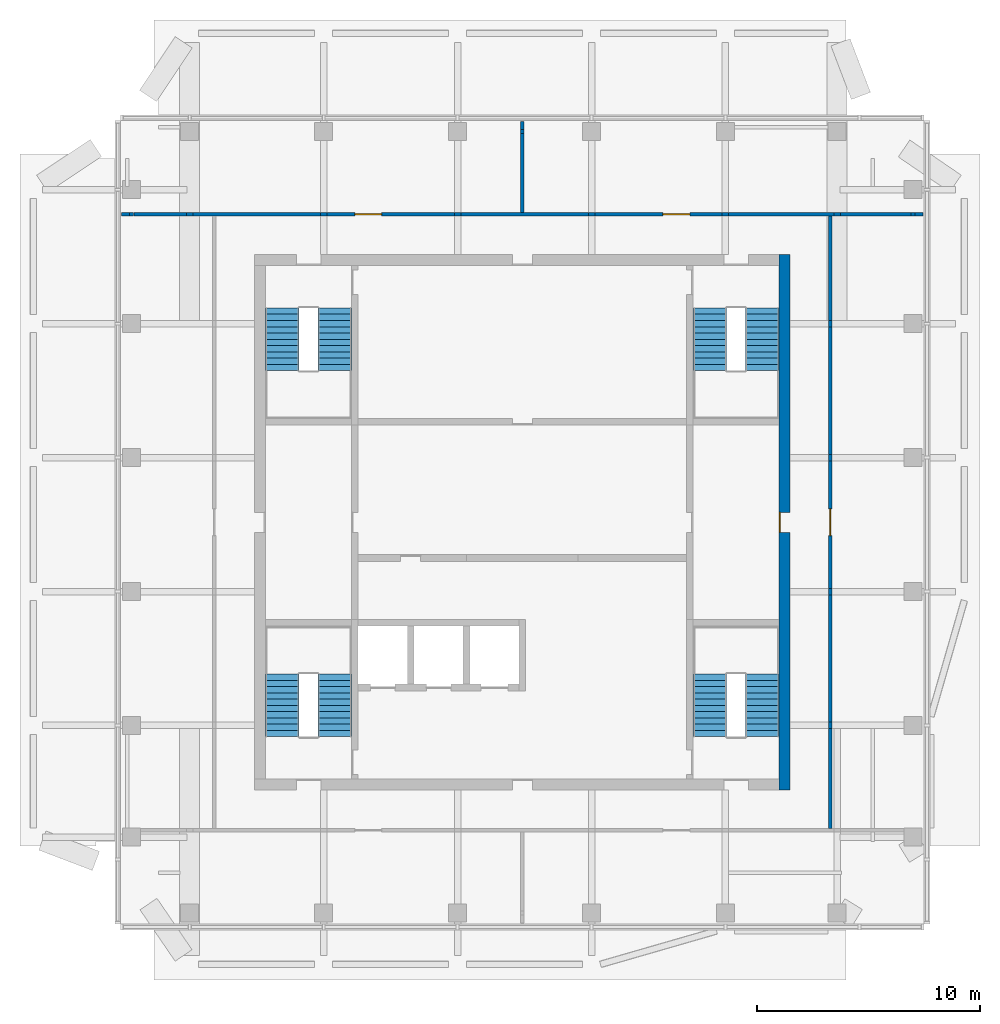
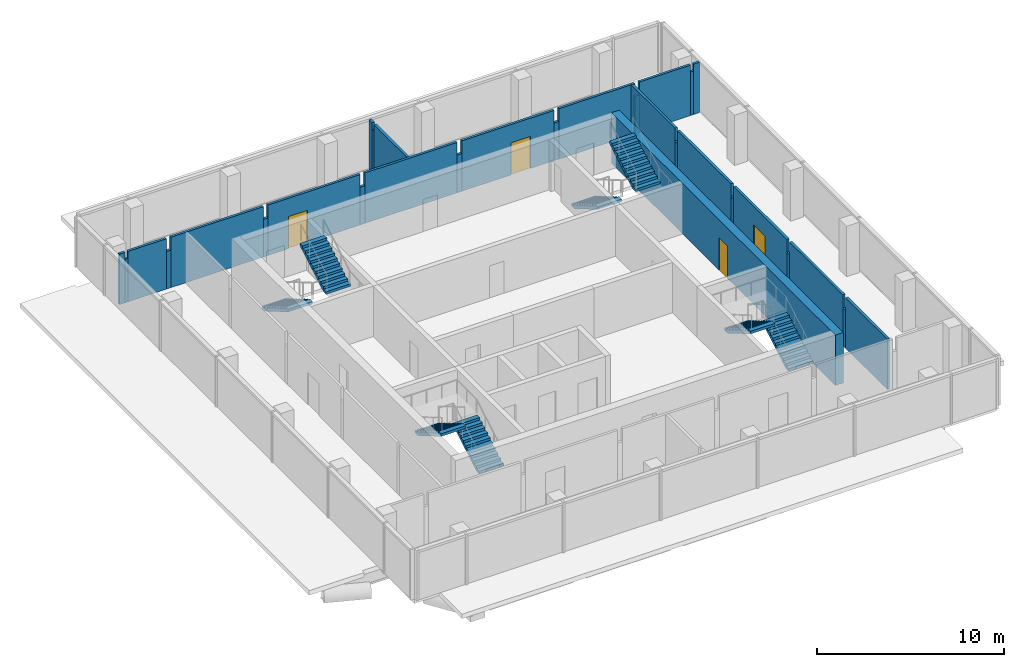
# One storey, part 5 of 6: 30 walls, 8 stair flights, 4 doors, 4 openings, 4 elements without a shape of their own.
"""IFC4 building model written with IfcOpenShell, lengths in metres."""

from ifc_helpers import new_model, si_unit, direction, frame, frame_2d, origin, place, context, subcontext, project, spatial, polyline, rectangle, outline, extrude, material, layer, layer_set, type_object, element, fill, aggregate, save


model = new_model("IFC4")

# Units and contexts
model_context = context("Model", 3, precision=1e-05, world=origin(), true_north=direction((0.0, 1.0)))
body_context = subcontext(model_context, "Body", "Model", "MODEL_VIEW")
ifc_project = project(units=[si_unit("LENGTHUNIT", "METRE"), si_unit("AREAUNIT", "SQUARE_METRE"), si_unit("VOLUMEUNIT", "CUBIC_METRE"), si_unit("PLANEANGLEUNIT", "RADIAN"), si_unit("MASSUNIT", "GRAM", prefix="KILO")], contexts=[model_context])

# Site, building, storey
site_placement = place(None, origin())
site = spatial("IfcSite", under=ifc_project, at=site_placement, CompositionType="ELEMENT")
building_placement = place(site_placement, origin())
building = spatial("IfcBuilding", under=site, at=building_placement, Name="Amberfall Residences", CompositionType="ELEMENT")
storey_placement = place(building_placement, frame((0.0, 0.0, 290.800048828125)))
storey = spatial("IfcBuildingStorey", under=building, at=storey_placement, Name="L78 Crown", CompositionType="ELEMENT", Elevation=290.800048828125)

# Wall, opening, door
ifc_material_1 = material(Name="Concrete C50", Category="concrete")
ifc_layer_1 = layer(ifc_material_1, 0.5)
ifc_layer_set_1 = layer_set([ifc_layer_1], Name="Core wall 500 C50")
wall_type_1 = type_object("IfcWallType", Name="Core wall 500 C50", PredefinedType="SHEAR", material=ifc_layer_set_1)
wall_1_placement = place(storey_placement, frame((86.25, 33.5, 0.0), z_axis=(0.0, 0.0, 1.0), x_axis=(0.0, 1.0, 0.0)))
wall_1 = element("IfcWall", 1, at=wall_1_placement, inside=storey, type_object=wall_type_1, Name="Core wall RW9 L78 Crown OE", PredefinedType="SHEAR", context=body_context, shape_type="SweptSolid", body=[
    extrude(rectangle(XDim=24.0, YDim=0.5, at=frame_2d((12.0, 0.0))), origin(), (0.0, 0.0, 1.0), 3.300048828125),
])
opening_1_placement = place(wall_1_placement, frame((11.550048828125, 0.0, 0.0)))
opening_1 = element("IfcOpeningElement", 2, at=opening_1_placement, cuts=wall_1, Name="Opening RD1", PredefinedType="OPENING", context=body_context, shape_type="SweptSolid", body=[
    extrude(rectangle(XDim=0.89990234375, YDim=2.10009765625, at=frame_2d((0.449951171875, 1.050048828125))), frame((0.0, 0.260009765625, 0.0), z_axis=(0.0, -1.0, 0.0), x_axis=(1.0, 0.0, 0.0)), (0.0, 0.0, 1.0), 0.52001953125),
])
ifc_material_2 = material(Name="Steel fire door set", Category="steel")
door_type_1 = type_object("IfcDoorType", Name="Service room door 900 x 2100", OperationType="SINGLE_SWING_LEFT", PredefinedType="DOOR", material=ifc_material_2)
door_1_placement = place(opening_1_placement, origin())
door_1 = element("IfcDoor", 3, at=door_1_placement, inside=storey, type_object=door_type_1, Name="RD1 L78 Crown", OperationType="SINGLE_SWING_RIGHT", OverallHeight=2.10009765625, OverallWidth=0.89990234375, PredefinedType="DOOR", context=body_context, shape_type="SweptSolid", body=[
    extrude(rectangle(XDim=0.89990234375, YDim=2.10009765625, at=frame_2d((0.449951171875, 1.050048828125))), frame((0.0, 0.2373046875, 0.0), z_axis=(0.0, -1.0, 0.0), x_axis=(1.0, 0.0, 0.0)), (0.0, 0.0, 1.0), 0.050048828125),
])
fill(opening_1, door_1)

# Walls
ifc_material_3 = material(Name="Fire-rated gypsum board on steel studs", Category="steel")
ifc_layer_2 = layer(ifc_material_3, 0.14990234375)
ifc_layer_set_2 = layer_set([ifc_layer_2], Name="Partition 150 fire-rated")
wall_type_2 = type_object("IfcWallType", Name="Partition 150 fire-rated", PredefinedType="PARTITIONING", material=ifc_layer_set_2)
wall_2_placement = place(storey_placement, frame((56.550048828125, 59.300048828125, 0.0), z_axis=(0.0, 0.0, 1.0), x_axis=(1.0, 0.0, 0.0)))
element("IfcWall", 4, at=wall_2_placement, inside=storey, type_object=wall_type_2, Name="Partition 150 fire-rated L78 Crown 014", PredefinedType="PARTITIONING", context=body_context, shape_type="SweptSolid", body=[
    extrude(rectangle(XDim=0.35498046875, YDim=0.14990234375, at=frame_2d((0.177490234375, 0.0))), origin(), (0.0, 0.0, 1.0), 3.300048828125),
])
wall_3_placement = place(storey_placement, frame((56.905029296875, 59.300048828125, 0.0), z_axis=(0.0, 0.0, 1.0), x_axis=(1.0, 0.0, 0.0)))
element("IfcWall", 5, at=wall_3_placement, inside=storey, type_object=wall_type_2, Name="Partition 150 fire-rated L78 Crown 015", PredefinedType="PARTITIONING", context=body_context, shape_type="SweptSolid", body=[
    extrude(rectangle(XDim=0.18994140625, YDim=0.14990234375, at=frame_2d((0.094970703125, 0.0))), origin(), (0.0, 0.0, 1.0), 2.846923828125),
])
wall_4_placement = place(storey_placement, frame((57.094970703125, 59.300048828125, 0.0), z_axis=(0.0, 0.0, 1.0), x_axis=(1.0, 0.0, 0.0)))
element("IfcWall", 6, at=wall_4_placement, inside=storey, type_object=wall_type_2, Name="Partition 150 fire-rated L78 Crown 016", PredefinedType="PARTITIONING", context=body_context, shape_type="SweptSolid", body=[
    extrude(rectangle(XDim=2.359130859375, YDim=0.14990234375, at=frame_2d((1.1796875, 0.0))), origin(), (0.0, 0.0, 1.0), 3.300048828125),
])
wall_5_placement = place(storey_placement, frame((59.4541015625, 59.300048828125, 0.0), z_axis=(0.0, 0.0, 1.0), x_axis=(1.0, 0.0, 0.0)))
element("IfcWall", 7, at=wall_5_placement, inside=storey, type_object=wall_type_2, Name="Partition 150 fire-rated L78 Crown 017", PredefinedType="PARTITIONING", context=body_context, shape_type="SweptSolid", body=[
    extrude(rectangle(XDim=0.291748046875, YDim=0.14990234375, at=frame_2d((0.14599609375, 0.0))), origin(), (0.0, 0.0, 1.0), 2.4619140625),
])
wall_6_placement = place(storey_placement, frame((59.745849609375, 59.300048828125, 0.0), z_axis=(0.0, 0.0, 1.0), x_axis=(1.0, 0.0, 0.0)))
element("IfcWall", 8, at=wall_6_placement, inside=storey, type_object=wall_type_2, Name="Partition 150 fire-rated L78 Crown 018", PredefinedType="PARTITIONING", context=body_context, shape_type="SweptSolid", body=[
    extrude(rectangle(XDim=5.708251953125, YDim=0.14990234375, at=frame_2d((2.85400390625, 0.0))), origin(), (0.0, 0.0, 1.0), 3.300048828125),
])
wall_7_placement = place(storey_placement, frame((65.4541015625, 59.300048828125, 0.0), z_axis=(0.0, 0.0, 1.0), x_axis=(1.0, 0.0, 0.0)))
element("IfcWall", 9, at=wall_7_placement, inside=storey, type_object=wall_type_2, Name="Partition 150 fire-rated L78 Crown 019", PredefinedType="PARTITIONING", context=body_context, shape_type="SweptSolid", body=[
    extrude(rectangle(XDim=0.291748046875, YDim=0.14990234375, at=frame_2d((0.14599609375, 0.0))), origin(), (0.0, 0.0, 1.0), 2.46484375),
])

# Wall, opening, door
wall_8_placement = place(storey_placement, frame((65.745849609375, 59.300048828125, 0.0), z_axis=(0.0, 0.0, 1.0), x_axis=(1.0, 0.0, 0.0)))
wall_8 = element("IfcWall", 10, at=wall_8_placement, inside=storey, type_object=wall_type_2, Name="Partition 150 fire-rated L78 Crown 020", PredefinedType="PARTITIONING", context=body_context, shape_type="SweptSolid", body=[
    extrude(rectangle(XDim=5.708251953125, YDim=0.14990234375, at=frame_2d((2.85400390625, 0.0))), origin(), (0.0, 0.0, 1.0), 3.300048828125),
])
opening_2_placement = place(wall_8_placement, frame((1.254150390625, 0.0, 0.0)))
opening_2 = element("IfcOpeningElement", 11, at=opening_2_placement, cuts=wall_8, Name="Opening D7", PredefinedType="OPENING", context=body_context, shape_type="SweptSolid", body=[
    extrude(rectangle(XDim=1.199951171875, YDim=2.10009765625, at=frame_2d((0.60009765625, 1.050048828125))), frame((0.0, 0.0849609375, 0.0), z_axis=(0.0, -1.0, 0.0), x_axis=(1.0, 0.0, 0.0)), (0.0, 0.0, 1.0), 0.169921875),
])
ifc_material_4 = material(Name="Steel fire door leaf", Category="steel")
door_type_2 = type_object("IfcDoorType", Name="Plant room door 1200x2100", OperationType="SINGLE_SWING_LEFT", PredefinedType="DOOR", material=ifc_material_4)
door_2_placement = place(opening_2_placement, origin())
door_2 = element("IfcDoor", 12, at=door_2_placement, inside=storey, type_object=door_type_2, Name="Door Water treatment plant room", OperationType="SINGLE_SWING_LEFT", OverallHeight=2.10009765625, OverallWidth=1.199951171875, PredefinedType="DOOR", context=body_context, shape_type="SweptSolid", body=[
    extrude(rectangle(XDim=1.199951171875, YDim=2.10009765625, at=frame_2d((0.60009765625, 1.050048828125))), frame((0.0, 0.02490234375, 0.0), z_axis=(0.0, -1.0, 0.0), x_axis=(1.0, 0.0, 0.0)), (0.0, 0.0, 1.0), 0.050048828125),
])
fill(opening_2, door_2)

# Walls
wall_9_placement = place(storey_placement, frame((71.4541015625, 59.300048828125, 0.0), z_axis=(0.0, 0.0, 1.0), x_axis=(1.0, 0.0, 0.0)))
element("IfcWall", 13, at=wall_9_placement, inside=storey, type_object=wall_type_2, Name="Partition 150 fire-rated L78 Crown 021", PredefinedType="PARTITIONING", context=body_context, shape_type="SweptSolid", body=[
    extrude(rectangle(XDim=0.291748046875, YDim=0.14990234375, at=frame_2d((0.14599609375, 0.0))), origin(), (0.0, 0.0, 1.0), 2.46484375),
])
wall_10_placement = place(storey_placement, frame((71.745849609375, 59.300048828125, 0.0), z_axis=(0.0, 0.0, 1.0), x_axis=(1.0, 0.0, 0.0)))
element("IfcWall", 14, at=wall_10_placement, inside=storey, type_object=wall_type_2, Name="Partition 150 fire-rated L78 Crown 022", PredefinedType="PARTITIONING", context=body_context, shape_type="SweptSolid", body=[
    extrude(rectangle(XDim=5.708251953125, YDim=0.14990234375, at=frame_2d((2.85400390625, 0.0))), origin(), (0.0, 0.0, 1.0), 3.300048828125),
])
wall_11_placement = place(storey_placement, frame((77.4541015625, 59.300048828125, 0.0), z_axis=(0.0, 0.0, 1.0), x_axis=(1.0, 0.0, 0.0)))
element("IfcWall", 15, at=wall_11_placement, inside=storey, type_object=wall_type_2, Name="Partition 150 fire-rated L78 Crown 023", PredefinedType="PARTITIONING", context=body_context, shape_type="SweptSolid", body=[
    extrude(rectangle(XDim=0.291748046875, YDim=0.14990234375, at=frame_2d((0.14599609375, 0.0))), origin(), (0.0, 0.0, 1.0), 2.46484375),
])

# Wall, opening, door
wall_12_placement = place(storey_placement, frame((77.745849609375, 59.300048828125, 0.0), z_axis=(0.0, 0.0, 1.0), x_axis=(1.0, 0.0, 0.0)))
wall_12 = element("IfcWall", 16, at=wall_12_placement, inside=storey, type_object=wall_type_2, Name="Partition 150 fire-rated L78 Crown 024", PredefinedType="PARTITIONING", context=body_context, shape_type="SweptSolid", body=[
    extrude(rectangle(XDim=5.708251953125, YDim=0.14990234375, at=frame_2d((2.85400390625, 0.0))), origin(), (0.0, 0.0, 1.0), 3.300048828125),
])
opening_3_placement = place(wall_12_placement, frame((3.05419921875, 0.0, 0.0)))
opening_3 = element("IfcOpeningElement", 17, at=opening_3_placement, cuts=wall_12, Name="Opening D7", PredefinedType="OPENING", context=body_context, shape_type="SweptSolid", body=[
    extrude(rectangle(XDim=1.199951171875, YDim=2.10009765625, at=frame_2d((0.60009765625, 1.050048828125))), frame((0.0, 0.0849609375, 0.0), z_axis=(0.0, -1.0, 0.0), x_axis=(1.0, 0.0, 0.0)), (0.0, 0.0, 1.0), 0.169921875),
])
door_3_placement = place(opening_3_placement, origin())
door_3 = element("IfcDoor", 18, at=door_3_placement, inside=storey, type_object=door_type_2, Name="Door Dosing plant room", OperationType="SINGLE_SWING_LEFT", OverallHeight=2.10009765625, OverallWidth=1.199951171875, PredefinedType="DOOR", context=body_context, shape_type="SweptSolid", body=[
    extrude(rectangle(XDim=1.199951171875, YDim=2.10009765625, at=frame_2d((0.60009765625, 1.050048828125))), frame((0.0, 0.02490234375, 0.0), z_axis=(0.0, -1.0, 0.0), x_axis=(1.0, 0.0, 0.0)), (0.0, 0.0, 1.0), 0.050048828125),
])
fill(opening_3, door_3)

# Walls
wall_13_placement = place(storey_placement, frame((83.4541015625, 59.300048828125, 0.0), z_axis=(0.0, 0.0, 1.0), x_axis=(1.0, 0.0, 0.0)))
element("IfcWall", 19, at=wall_13_placement, inside=storey, type_object=wall_type_2, Name="Partition 150 fire-rated L78 Crown 025", PredefinedType="PARTITIONING", context=body_context, shape_type="SweptSolid", body=[
    extrude(rectangle(XDim=0.291748046875, YDim=0.14990234375, at=frame_2d((0.14599609375, 0.0))), origin(), (0.0, 0.0, 1.0), 2.46484375),
])
wall_14_placement = place(storey_placement, frame((83.745849609375, 59.300048828125, 0.0), z_axis=(0.0, 0.0, 1.0), x_axis=(1.0, 0.0, 0.0)))
element("IfcWall", 20, at=wall_14_placement, inside=storey, type_object=wall_type_2, Name="Partition 150 fire-rated L78 Crown 026", PredefinedType="PARTITIONING", context=body_context, shape_type="SweptSolid", body=[
    extrude(rectangle(XDim=4.708251953125, YDim=0.14990234375, at=frame_2d((2.35400390625, 0.0))), origin(), (0.0, 0.0, 1.0), 3.300048828125),
])
wall_15_placement = place(storey_placement, frame((88.4541015625, 59.300048828125, 0.0), z_axis=(0.0, 0.0, 1.0), x_axis=(1.0, 0.0, 0.0)))
element("IfcWall", 21, at=wall_15_placement, inside=storey, type_object=wall_type_2, Name="Partition 150 fire-rated L78 Crown 027", PredefinedType="PARTITIONING", context=body_context, shape_type="SweptSolid", body=[
    extrude(rectangle(XDim=0.291748046875, YDim=0.14990234375, at=frame_2d((0.14599609375, 0.0))), origin(), (0.0, 0.0, 1.0), 2.4619140625),
])
wall_16_placement = place(storey_placement, frame((88.745849609375, 59.300048828125, 0.0), z_axis=(0.0, 0.0, 1.0), x_axis=(1.0, 0.0, 0.0)))
element("IfcWall", 22, at=wall_16_placement, inside=storey, type_object=wall_type_2, Name="Partition 150 fire-rated L78 Crown 028", PredefinedType="PARTITIONING", context=body_context, shape_type="SweptSolid", body=[
    extrude(rectangle(XDim=3.1591796875, YDim=0.14990234375, at=frame_2d((1.57958984375, 0.0))), origin(), (0.0, 0.0, 1.0), 3.300048828125),
])
wall_17_placement = place(storey_placement, frame((91.905029296875, 59.300048828125, 0.0), z_axis=(0.0, 0.0, 1.0), x_axis=(1.0, 0.0, 0.0)))
element("IfcWall", 23, at=wall_17_placement, inside=storey, type_object=wall_type_2, Name="Partition 150 fire-rated L78 Crown 029", PredefinedType="PARTITIONING", context=body_context, shape_type="SweptSolid", body=[
    extrude(rectangle(XDim=0.18994140625, YDim=0.14990234375, at=frame_2d((0.094970703125, 0.0))), origin(), (0.0, 0.0, 1.0), 2.846923828125),
])
wall_18_placement = place(storey_placement, frame((92.094970703125, 59.300048828125, 0.0), z_axis=(0.0, 0.0, 1.0), x_axis=(1.0, 0.0, 0.0)))
element("IfcWall", 24, at=wall_18_placement, inside=storey, type_object=wall_type_2, Name="Partition 150 fire-rated L78 Crown 030", PredefinedType="PARTITIONING", context=body_context, shape_type="SweptSolid", body=[
    extrude(rectangle(XDim=0.35498046875, YDim=0.14990234375, at=frame_2d((0.177490234375, 0.0))), origin(), (0.0, 0.0, 1.0), 3.300048828125),
])
wall_19_placement = place(storey_placement, frame((74.5, 59.375, 0.0), z_axis=(0.0, 0.0, 1.0), x_axis=(0.0, 1.0, 0.0)))
element("IfcWall", 25, at=wall_19_placement, inside=storey, type_object=wall_type_2, Name="Partition 150 fire-rated L78 Crown 043", PredefinedType="PARTITIONING", context=body_context, shape_type="SweptSolid", body=[
    extrude(rectangle(XDim=3.530029296875, YDim=0.14990234375, at=frame_2d((1.76513671875, 0.0))), origin(), (0.0, 0.0, 1.0), 3.300048828125),
])
wall_20_placement = place(storey_placement, frame((74.5, 62.905029296875, 0.0), z_axis=(0.0, 0.0, 1.0), x_axis=(0.0, 1.0, 0.0)))
element("IfcWall", 26, at=wall_20_placement, inside=storey, type_object=wall_type_2, Name="Partition 150 fire-rated L78 Crown 044", PredefinedType="PARTITIONING", context=body_context, shape_type="SweptSolid", body=[
    extrude(rectangle(XDim=0.18994140625, YDim=0.14990234375, at=frame_2d((0.094970703125, 0.0))), origin(), (0.0, 0.0, 1.0), 2.846923828125),
])
wall_21_placement = place(storey_placement, frame((74.5, 63.094970703125, 0.0), z_axis=(0.0, 0.0, 1.0), x_axis=(0.0, 1.0, 0.0)))
element("IfcWall", 27, at=wall_21_placement, inside=storey, type_object=wall_type_2, Name="Partition 150 fire-rated L78 Crown 045", PredefinedType="PARTITIONING", context=body_context, shape_type="SweptSolid", body=[
    extrude(rectangle(XDim=0.35498046875, YDim=0.14990234375, at=frame_2d((0.177490234375, 0.0))), origin(), (0.0, 0.0, 1.0), 3.300048828125),
])
wall_22_placement = place(storey_placement, frame((88.300048828125, 31.77490234375, 0.0), z_axis=(0.0, 0.0, 1.0), x_axis=(0.0, 1.0, 0.0)))
element("IfcWall", 28, at=wall_22_placement, inside=storey, type_object=wall_type_2, Name="Partition 150 fire-rated L78 Crown 046", PredefinedType="PARTITIONING", context=body_context, shape_type="SweptSolid", body=[
    extrude(rectangle(XDim=4.479248046875, YDim=0.14990234375, at=frame_2d((2.23974609375, 0.0))), origin(), (0.0, 0.0, 1.0), 3.300048828125),
])
wall_23_placement = place(storey_placement, frame((88.300048828125, 36.254150390625, 0.0), z_axis=(0.0, 0.0, 1.0), x_axis=(0.0, 1.0, 0.0)))
element("IfcWall", 29, at=wall_23_placement, inside=storey, type_object=wall_type_2, Name="Partition 150 fire-rated L78 Crown 047", PredefinedType="PARTITIONING", context=body_context, shape_type="SweptSolid", body=[
    extrude(rectangle(XDim=0.291748046875, YDim=0.14990234375, at=frame_2d((0.14599609375, 0.0))), origin(), (0.0, 0.0, 1.0), 2.458984375),
])
wall_24_placement = place(storey_placement, frame((88.300048828125, 36.5458984375, 0.0), z_axis=(0.0, 0.0, 1.0), x_axis=(0.0, 1.0, 0.0)))
element("IfcWall", 30, at=wall_24_placement, inside=storey, type_object=wall_type_2, Name="Partition 150 fire-rated L78 Crown 048", PredefinedType="PARTITIONING", context=body_context, shape_type="SweptSolid", body=[
    extrude(rectangle(XDim=5.708251953125, YDim=0.14990234375, at=frame_2d((2.85400390625, 0.0))), origin(), (0.0, 0.0, 1.0), 3.300048828125),
])
wall_25_placement = place(storey_placement, frame((88.300048828125, 42.254150390625, 0.0), z_axis=(0.0, 0.0, 1.0), x_axis=(0.0, 1.0, 0.0)))
element("IfcWall", 31, at=wall_25_placement, inside=storey, type_object=wall_type_2, Name="Partition 150 fire-rated L78 Crown 049", PredefinedType="PARTITIONING", context=body_context, shape_type="SweptSolid", body=[
    extrude(rectangle(XDim=0.291748046875, YDim=0.14990234375, at=frame_2d((0.14599609375, 0.0))), origin(), (0.0, 0.0, 1.0), 2.46484375),
])

# Wall, opening, door
wall_26_placement = place(storey_placement, frame((88.300048828125, 42.5458984375, 0.0), z_axis=(0.0, 0.0, 1.0), x_axis=(0.0, 1.0, 0.0)))
wall_26 = element("IfcWall", 32, at=wall_26_placement, inside=storey, type_object=wall_type_2, Name="Partition 150 fire-rated L78 Crown 050", PredefinedType="PARTITIONING", context=body_context, shape_type="SweptSolid", body=[
    extrude(rectangle(XDim=5.708251953125, YDim=0.14990234375, at=frame_2d((2.85400390625, 0.0))), origin(), (0.0, 0.0, 1.0), 3.300048828125),
])
opening_4_placement = place(wall_26_placement, frame((2.354248046875, 0.0, 0.0)))
opening_4 = element("IfcOpeningElement", 33, at=opening_4_placement, cuts=wall_26, Name="Opening D7", PredefinedType="OPENING", context=body_context, shape_type="SweptSolid", body=[
    extrude(rectangle(XDim=1.199951171875, YDim=2.10009765625, at=frame_2d((0.60009765625, 1.050048828125))), frame((0.0, 0.0849609375, 0.0), z_axis=(0.0, -1.0, 0.0), x_axis=(1.0, 0.0, 0.0)), (0.0, 0.0, 1.0), 0.169921875),
])
door_4_placement = place(opening_4_placement, origin())
door_4 = element("IfcDoor", 34, at=door_4_placement, inside=storey, type_object=door_type_2, Name="Door Battery plant room", OperationType="SINGLE_SWING_LEFT", OverallHeight=2.10009765625, OverallWidth=1.199951171875, PredefinedType="DOOR", context=body_context, shape_type="SweptSolid", body=[
    extrude(rectangle(XDim=1.199951171875, YDim=2.10009765625, at=frame_2d((0.60009765625, 1.050048828125))), frame((0.0, 0.02490234375, 0.0), z_axis=(0.0, -1.0, 0.0), x_axis=(1.0, 0.0, 0.0)), (0.0, 0.0, 1.0), 0.050048828125),
])
fill(opening_4, door_4)

# Walls
wall_27_placement = place(storey_placement, frame((88.300048828125, 48.254150390625, 0.0), z_axis=(0.0, 0.0, 1.0), x_axis=(0.0, 1.0, 0.0)))
element("IfcWall", 35, at=wall_27_placement, inside=storey, type_object=wall_type_2, Name="Partition 150 fire-rated L78 Crown 051", PredefinedType="PARTITIONING", context=body_context, shape_type="SweptSolid", body=[
    extrude(rectangle(XDim=0.291748046875, YDim=0.14990234375, at=frame_2d((0.14599609375, 0.0))), origin(), (0.0, 0.0, 1.0), 2.46484375),
])
wall_28_placement = place(storey_placement, frame((88.300048828125, 48.5458984375, 0.0), z_axis=(0.0, 0.0, 1.0), x_axis=(0.0, 1.0, 0.0)))
element("IfcWall", 36, at=wall_28_placement, inside=storey, type_object=wall_type_2, Name="Partition 150 fire-rated L78 Crown 052", PredefinedType="PARTITIONING", context=body_context, shape_type="SweptSolid", body=[
    extrude(rectangle(XDim=5.708251953125, YDim=0.14990234375, at=frame_2d((2.85400390625, 0.0))), origin(), (0.0, 0.0, 1.0), 3.300048828125),
])
wall_29_placement = place(storey_placement, frame((88.300048828125, 54.254150390625, 0.0), z_axis=(0.0, 0.0, 1.0), x_axis=(0.0, 1.0, 0.0)))
element("IfcWall", 37, at=wall_29_placement, inside=storey, type_object=wall_type_2, Name="Partition 150 fire-rated L78 Crown 053", PredefinedType="PARTITIONING", context=body_context, shape_type="SweptSolid", body=[
    extrude(rectangle(XDim=0.291748046875, YDim=0.14990234375, at=frame_2d((0.14599609375, 0.0))), origin(), (0.0, 0.0, 1.0), 2.458984375),
])
wall_30_placement = place(storey_placement, frame((88.300048828125, 54.5458984375, 0.0), z_axis=(0.0, 0.0, 1.0), x_axis=(0.0, 1.0, 0.0)))
element("IfcWall", 38, at=wall_30_placement, inside=storey, type_object=wall_type_2, Name="Partition 150 fire-rated L78 Crown 054", PredefinedType="PARTITIONING", context=body_context, shape_type="SweptSolid", body=[
    extrude(rectangle(XDim=4.67919921875, YDim=0.14990234375, at=frame_2d((2.339599609375, 0.0))), origin(), (0.0, 0.0, 1.0), 3.300048828125),
])

# Stair, stair flights
ifc_material_5 = material(Name="Concrete C40", Category="concrete")
stair_type = type_object("IfcStairType", Name="Exit stair 22 risers 163.6 mm", PredefinedType="HALF_TURN_STAIR", material=ifc_material_5)
stair_1_placement = place(storey_placement, origin())
stair_1 = element("IfcStair", 39, at=stair_1_placement, inside=storey, type_object=stair_type, Name="L78 Crown Exit stair 1", PredefinedType="HALF_TURN_STAIR")
stair_flight_type = type_object("IfcStairFlightType", Name="Stair flight 11 risers 163.6 mm", PredefinedType="STRAIGHT", material=ifc_material_5)
stair_flight_1_placement = place(storey_placement, frame((66.10009765625, 35.89990234375, 0.0), z_axis=(0.0, 0.0, 1.0), x_axis=(0.0, 1.0, 0.0)))
stair_flight_1 = element("IfcStairFlight", 40, at=stair_flight_1_placement, type_object=stair_flight_type, Name="ST5 flight 1", NumberOfRisers=11, NumberOfTreads=10, PredefinedType="STRAIGHT", RiserHeight=0.163636364, TreadLength=0.28, context=body_context, shape_type="SweptSolid", body=[
    extrude(outline(polyline([(0.0, 0.0), (0.0, 0.16357421875), (0.280029296875, 0.16357421875), (0.280029296875, 0.327392578125), (0.56005859375, 0.327392578125), (0.56005859375, 0.490966796875), (0.840087890625, 0.490966796875), (0.840087890625, 0.654541015625), (1.1201171875, 0.654541015625), (1.1201171875, 0.818115234375), (1.39990234375, 0.818115234375), (1.39990234375, 0.98193359375), (1.679931640625, 0.98193359375), (1.679931640625, 1.1455078125), (1.9599609375, 1.1455078125), (1.9599609375, 1.30908203125), (2.239990234375, 1.30908203125), (2.239990234375, 1.47265625), (2.52001953125, 1.47265625), (2.52001953125, 1.636474609375), (2.800048828125, 1.636474609375), (2.800048828125, 1.800048828125), (2.800048828125, 1.462646484375), (0.297119140625, 0.0), (0.0, 0.0)])), frame((0.0, 0.75, 0.0), z_axis=(0.0, -1.0, 0.0), x_axis=(1.0, 0.0, 0.0)), (0.0, 0.0, 1.0), 1.5),
])
stair_flight_2_placement = place(storey_placement, frame((63.75, 38.699951171875, 1.800048828125), z_axis=(0.0, 0.0, 1.0), x_axis=(0.0, -1.0, 0.0)))
stair_flight_2 = element("IfcStairFlight", 41, at=stair_flight_2_placement, type_object=stair_flight_type, Name="ST5 flight 2", NumberOfRisers=11, NumberOfTreads=10, PredefinedType="STRAIGHT", RiserHeight=0.163636364, TreadLength=0.28, context=body_context, shape_type="SweptSolid", body=[
    extrude(outline(polyline([(0.0, 0.0), (0.0, 0.16357421875), (0.280029296875, 0.16357421875), (0.280029296875, 0.327392578125), (0.56005859375, 0.327392578125), (0.56005859375, 0.490966796875), (0.840087890625, 0.490966796875), (0.840087890625, 0.654541015625), (1.1201171875, 0.654541015625), (1.1201171875, 0.818115234375), (1.39990234375, 0.818115234375), (1.39990234375, 0.98193359375), (1.679931640625, 0.98193359375), (1.679931640625, 1.1455078125), (1.9599609375, 1.1455078125), (1.9599609375, 1.30908203125), (2.239990234375, 1.30908203125), (2.239990234375, 1.47265625), (2.52001953125, 1.47265625), (2.52001953125, 1.636474609375), (2.800048828125, 1.636474609375), (2.800048828125, 1.800048828125), (2.800048828125, 1.462646484375), (0.297119140625, 0.0), (0.0, 0.0)])), frame((0.0, 0.75, 0.0), z_axis=(0.0, -1.0, 0.0), x_axis=(1.0, 0.0, 0.0)), (0.0, 0.0, 1.0), 1.5),
])
aggregate(stair_1, [stair_flight_1, stair_flight_2])

stair_2_placement = place(storey_placement, origin())
stair_2 = element("IfcStair", 42, at=stair_2_placement, inside=storey, type_object=stair_type, Name="L78 Crown Exit stair 2", PredefinedType="HALF_TURN_STAIR")
stair_flight_3_placement = place(storey_placement, frame((85.25, 35.89990234375, 0.0), z_axis=(0.0, 0.0, 1.0), x_axis=(0.0, 1.0, 0.0)))
stair_flight_3 = element("IfcStairFlight", 43, at=stair_flight_3_placement, type_object=stair_flight_type, Name="ST5 flight 1", NumberOfRisers=11, NumberOfTreads=10, PredefinedType="STRAIGHT", RiserHeight=0.163636364, TreadLength=0.28, context=body_context, shape_type="SweptSolid", body=[
    extrude(outline(polyline([(0.0, 0.0), (0.0, 0.16357421875), (0.280029296875, 0.16357421875), (0.280029296875, 0.327392578125), (0.56005859375, 0.327392578125), (0.56005859375, 0.490966796875), (0.840087890625, 0.490966796875), (0.840087890625, 0.654541015625), (1.1201171875, 0.654541015625), (1.1201171875, 0.818115234375), (1.39990234375, 0.818115234375), (1.39990234375, 0.98193359375), (1.679931640625, 0.98193359375), (1.679931640625, 1.1455078125), (1.9599609375, 1.1455078125), (1.9599609375, 1.30908203125), (2.239990234375, 1.30908203125), (2.239990234375, 1.47265625), (2.52001953125, 1.47265625), (2.52001953125, 1.636474609375), (2.800048828125, 1.636474609375), (2.800048828125, 1.800048828125), (2.800048828125, 1.462646484375), (0.297119140625, 0.0), (0.0, 0.0)])), frame((0.0, 0.75, 0.0), z_axis=(0.0, -1.0, 0.0), x_axis=(1.0, 0.0, 0.0)), (0.0, 0.0, 1.0), 1.5),
])
stair_flight_4_placement = place(storey_placement, frame((82.89990234375, 38.699951171875, 1.800048828125), z_axis=(0.0, 0.0, 1.0), x_axis=(0.0, -1.0, 0.0)))
stair_flight_4 = element("IfcStairFlight", 44, at=stair_flight_4_placement, type_object=stair_flight_type, Name="ST5 flight 2", NumberOfRisers=11, NumberOfTreads=10, PredefinedType="STRAIGHT", RiserHeight=0.163636364, TreadLength=0.28, context=body_context, shape_type="SweptSolid", body=[
    extrude(outline(polyline([(0.0, 0.0), (0.0, 0.16357421875), (0.280029296875, 0.16357421875), (0.280029296875, 0.327392578125), (0.56005859375, 0.327392578125), (0.56005859375, 0.490966796875), (0.840087890625, 0.490966796875), (0.840087890625, 0.654541015625), (1.1201171875, 0.654541015625), (1.1201171875, 0.818115234375), (1.39990234375, 0.818115234375), (1.39990234375, 0.98193359375), (1.679931640625, 0.98193359375), (1.679931640625, 1.1455078125), (1.9599609375, 1.1455078125), (1.9599609375, 1.30908203125), (2.239990234375, 1.30908203125), (2.239990234375, 1.47265625), (2.52001953125, 1.47265625), (2.52001953125, 1.636474609375), (2.800048828125, 1.636474609375), (2.800048828125, 1.800048828125), (2.800048828125, 1.462646484375), (0.297119140625, 0.0), (0.0, 0.0)])), frame((0.0, 0.75, 0.0), z_axis=(0.0, -1.0, 0.0), x_axis=(1.0, 0.0, 0.0)), (0.0, 0.0, 1.0), 1.5),
])
aggregate(stair_2, [stair_flight_3, stair_flight_4])

stair_3_placement = place(storey_placement, origin())
stair_3 = element("IfcStair", 45, at=stair_3_placement, inside=storey, type_object=stair_type, Name="L78 Crown Exit stair 3", PredefinedType="HALF_TURN_STAIR")
stair_flight_5_placement = place(storey_placement, frame((82.89990234375, 55.10009765625, 0.0), z_axis=(0.0, 0.0, 1.0), x_axis=(0.0, -1.0, 0.0)))
stair_flight_5 = element("IfcStairFlight", 46, at=stair_flight_5_placement, type_object=stair_flight_type, Name="ST5 flight 1", NumberOfRisers=11, NumberOfTreads=10, PredefinedType="STRAIGHT", RiserHeight=0.163636364, TreadLength=0.28, context=body_context, shape_type="SweptSolid", body=[
    extrude(outline(polyline([(0.0, 0.0), (0.0, 0.16357421875), (0.280029296875, 0.16357421875), (0.280029296875, 0.327392578125), (0.56005859375, 0.327392578125), (0.56005859375, 0.490966796875), (0.840087890625, 0.490966796875), (0.840087890625, 0.654541015625), (1.1201171875, 0.654541015625), (1.1201171875, 0.818115234375), (1.39990234375, 0.818115234375), (1.39990234375, 0.98193359375), (1.679931640625, 0.98193359375), (1.679931640625, 1.1455078125), (1.9599609375, 1.1455078125), (1.9599609375, 1.30908203125), (2.239990234375, 1.30908203125), (2.239990234375, 1.47265625), (2.52001953125, 1.47265625), (2.52001953125, 1.636474609375), (2.800048828125, 1.636474609375), (2.800048828125, 1.800048828125), (2.800048828125, 1.462646484375), (0.297119140625, 0.0), (0.0, 0.0)])), frame((0.0, 0.75, 0.0), z_axis=(0.0, -1.0, 0.0), x_axis=(1.0, 0.0, 0.0)), (0.0, 0.0, 1.0), 1.5),
])
stair_flight_6_placement = place(storey_placement, frame((85.25, 52.300048828125, 1.800048828125), z_axis=(0.0, 0.0, 1.0), x_axis=(0.0, 1.0, 0.0)))
stair_flight_6 = element("IfcStairFlight", 47, at=stair_flight_6_placement, type_object=stair_flight_type, Name="ST5 flight 2", NumberOfRisers=11, NumberOfTreads=10, PredefinedType="STRAIGHT", RiserHeight=0.163636364, TreadLength=0.28, context=body_context, shape_type="SweptSolid", body=[
    extrude(outline(polyline([(0.0, 0.0), (0.0, 0.16357421875), (0.280029296875, 0.16357421875), (0.280029296875, 0.327392578125), (0.56005859375, 0.327392578125), (0.56005859375, 0.490966796875), (0.840087890625, 0.490966796875), (0.840087890625, 0.654541015625), (1.1201171875, 0.654541015625), (1.1201171875, 0.818115234375), (1.39990234375, 0.818115234375), (1.39990234375, 0.98193359375), (1.679931640625, 0.98193359375), (1.679931640625, 1.1455078125), (1.9599609375, 1.1455078125), (1.9599609375, 1.30908203125), (2.239990234375, 1.30908203125), (2.239990234375, 1.47265625), (2.52001953125, 1.47265625), (2.52001953125, 1.636474609375), (2.800048828125, 1.636474609375), (2.800048828125, 1.800048828125), (2.800048828125, 1.462646484375), (0.297119140625, 0.0), (0.0, 0.0)])), frame((0.0, 0.75, 0.0), z_axis=(0.0, -1.0, 0.0), x_axis=(1.0, 0.0, 0.0)), (0.0, 0.0, 1.0), 1.5),
])
aggregate(stair_3, [stair_flight_5, stair_flight_6])

stair_4_placement = place(storey_placement, origin())
stair_4 = element("IfcStair", 48, at=stair_4_placement, inside=storey, type_object=stair_type, Name="L78 Crown Exit stair 4", PredefinedType="HALF_TURN_STAIR")
stair_flight_7_placement = place(storey_placement, frame((63.75, 55.10009765625, 0.0), z_axis=(0.0, 0.0, 1.0), x_axis=(0.0, -1.0, 0.0)))
stair_flight_7 = element("IfcStairFlight", 49, at=stair_flight_7_placement, type_object=stair_flight_type, Name="ST5 flight 1", NumberOfRisers=11, NumberOfTreads=10, PredefinedType="STRAIGHT", RiserHeight=0.163636364, TreadLength=0.28, context=body_context, shape_type="SweptSolid", body=[
    extrude(outline(polyline([(0.0, 0.0), (0.0, 0.16357421875), (0.280029296875, 0.16357421875), (0.280029296875, 0.327392578125), (0.56005859375, 0.327392578125), (0.56005859375, 0.490966796875), (0.840087890625, 0.490966796875), (0.840087890625, 0.654541015625), (1.1201171875, 0.654541015625), (1.1201171875, 0.818115234375), (1.39990234375, 0.818115234375), (1.39990234375, 0.98193359375), (1.679931640625, 0.98193359375), (1.679931640625, 1.1455078125), (1.9599609375, 1.1455078125), (1.9599609375, 1.30908203125), (2.239990234375, 1.30908203125), (2.239990234375, 1.47265625), (2.52001953125, 1.47265625), (2.52001953125, 1.636474609375), (2.800048828125, 1.636474609375), (2.800048828125, 1.800048828125), (2.800048828125, 1.462646484375), (0.297119140625, 0.0), (0.0, 0.0)])), frame((0.0, 0.75, 0.0), z_axis=(0.0, -1.0, 0.0), x_axis=(1.0, 0.0, 0.0)), (0.0, 0.0, 1.0), 1.5),
])
stair_flight_8_placement = place(storey_placement, frame((66.10009765625, 52.300048828125, 1.800048828125), z_axis=(0.0, 0.0, 1.0), x_axis=(0.0, 1.0, 0.0)))
stair_flight_8 = element("IfcStairFlight", 50, at=stair_flight_8_placement, type_object=stair_flight_type, Name="ST5 flight 2", NumberOfRisers=11, NumberOfTreads=10, PredefinedType="STRAIGHT", RiserHeight=0.163636364, TreadLength=0.28, context=body_context, shape_type="SweptSolid", body=[
    extrude(outline(polyline([(0.0, 0.0), (0.0, 0.16357421875), (0.280029296875, 0.16357421875), (0.280029296875, 0.327392578125), (0.56005859375, 0.327392578125), (0.56005859375, 0.490966796875), (0.840087890625, 0.490966796875), (0.840087890625, 0.654541015625), (1.1201171875, 0.654541015625), (1.1201171875, 0.818115234375), (1.39990234375, 0.818115234375), (1.39990234375, 0.98193359375), (1.679931640625, 0.98193359375), (1.679931640625, 1.1455078125), (1.9599609375, 1.1455078125), (1.9599609375, 1.30908203125), (2.239990234375, 1.30908203125), (2.239990234375, 1.47265625), (2.52001953125, 1.47265625), (2.52001953125, 1.636474609375), (2.800048828125, 1.636474609375), (2.800048828125, 1.800048828125), (2.800048828125, 1.462646484375), (0.297119140625, 0.0), (0.0, 0.0)])), frame((0.0, 0.75, 0.0), z_axis=(0.0, -1.0, 0.0), x_axis=(1.0, 0.0, 0.0)), (0.0, 0.0, 1.0), 1.5),
])
aggregate(stair_4, [stair_flight_7, stair_flight_8])

save(model, "model.ifc")
